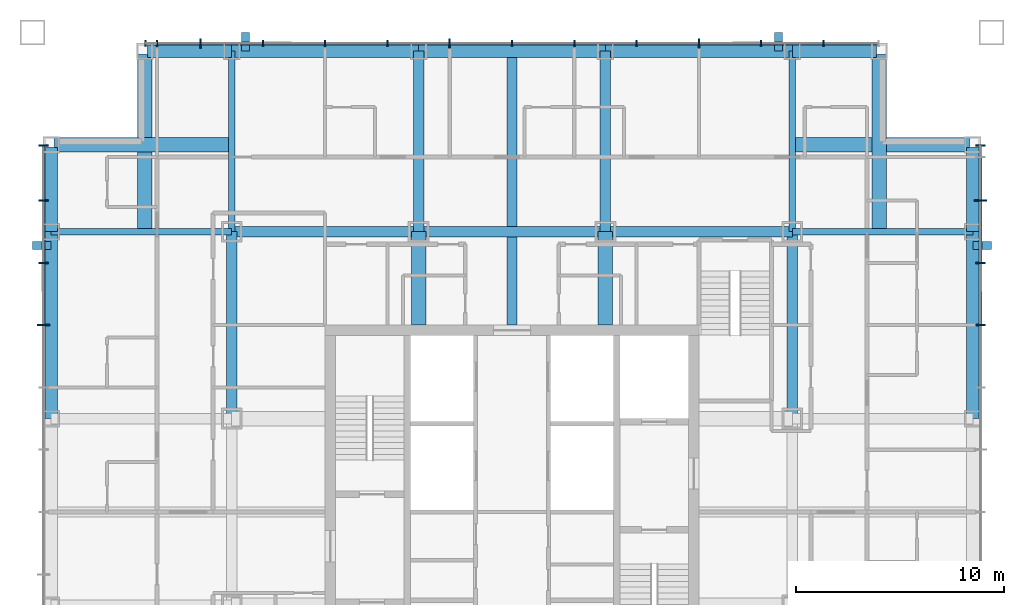
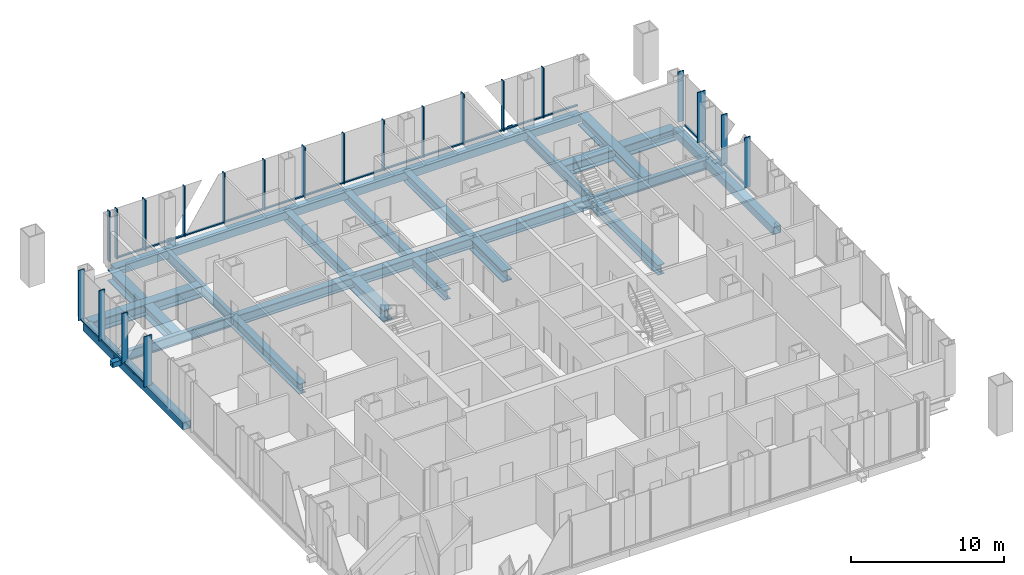
# One storey, part 4 of 18: 43 members, 27 beams, 3 elements without a shape of their own.
"""IFC4 building model written with IfcOpenShell, lengths in metres."""

from ifc_helpers import new_model, si_unit, direction, frame, origin, origin_2d, place, context, subcontext, project, spatial, rectangle, hollow_rectangle, i_section, extrude, material, layer, layer_set, material_profile, profile_set, type_object, element, aggregate, save


model = new_model("IFC4")

# Units and contexts
model_context = context("Model", 3, precision=1e-05, world=origin(), true_north=direction((0.0, 1.0)))
body_context = subcontext(model_context, "Body", "Model", "MODEL_VIEW")
ifc_project = project(units=[si_unit("LENGTHUNIT", "METRE"), si_unit("AREAUNIT", "SQUARE_METRE"), si_unit("VOLUMEUNIT", "CUBIC_METRE"), si_unit("PLANEANGLEUNIT", "RADIAN"), si_unit("MASSUNIT", "GRAM", prefix="KILO")], contexts=[model_context])

# Site, building, storey
site_placement = place(None, origin())
site = spatial("IfcSite", under=ifc_project, at=site_placement, CompositionType="ELEMENT")
building_placement = place(site_placement, origin())
building = spatial("IfcBuilding", under=site, at=building_placement, Name="Malebo Sky Hospital", CompositionType="ELEMENT")
storey_placement = place(building_placement, frame((0.0, 0.0, 225.0)))
storey = spatial("IfcBuildingStorey", under=building, at=storey_placement, Name="L54", CompositionType="ELEMENT", Elevation=225.0)

# Curtain wall, members
ifc_material_1 = material(Name="Anodised aluminium, natural silver", Category="aluminium")
ifc_layer_1 = layer(ifc_material_1, 0.25)
ifc_layer_set_1 = layer_set([ifc_layer_1], Name="WARD CURTAIN WALL NORTH AND SOUTH")
curtain_wall_type_1 = type_object("IfcCurtainWallType", Name="WARD CURTAIN WALL NORTH AND SOUTH", PredefinedType="NOTDEFINED", material=ifc_layer_set_1)
curtain_wall_1_placement = place(storey_placement, origin())
curtain_wall_1 = element("IfcCurtainWall", 1, at=curtain_wall_1_placement, inside=storey, type_object=curtain_wall_type_1, Name="NS curtain wall N", PredefinedType="NOTDEFINED")
ifc_material_profile_1 = material_profile(ifc_material_1, rectangle(XDim=0.14990234375, YDim=0.10009765625, at=origin_2d()), Name="ALUMINIUM TRANSOM 150x100")
ifc_profile_set_1 = profile_set([ifc_material_profile_1], Name="Anodised aluminium, natural silver")
member_type_1 = type_object("IfcMemberType", Name="ALUMINIUM TRANSOM 150x100", PredefinedType="USERDEFINED", material=ifc_profile_set_1)
member_1_placement = place(storey_placement, frame((42.9375, 84.574951171875, 0.050048828125), z_axis=(1.0, 0.0, 0.0), x_axis=(0.0, 1.0, 0.0)))
member_1 = element("IfcMember", 2, at=member_1_placement, type_object=member_type_1, Name="Transom 2", ObjectType="TRANSOM", PredefinedType="USERDEFINED", context=body_context, shape_type="SweptSolid", body=[
    extrude(rectangle(XDim=0.14990234375, YDim=0.10009765625, at=origin_2d()), origin(), (0.0, 0.0, 1.0), 2.02490234375),
])
member_2_placement = place(storey_placement, frame((45.03759765625, 84.574951171875, 0.050048828125), z_axis=(1.0, 0.0, 0.0), x_axis=(0.0, 1.0, 0.0)))
member_2 = element("IfcMember", 3, at=member_2_placement, type_object=member_type_1, Name="Transom 3", ObjectType="TRANSOM", PredefinedType="USERDEFINED", context=body_context, shape_type="SweptSolid", body=[
    extrude(rectangle(XDim=0.14990234375, YDim=0.10009765625, at=origin_2d()), origin(), (0.0, 0.0, 1.0), 2.9248046875),
])
member_3_placement = place(storey_placement, frame((48.03759765625, 84.574951171875, 0.050048828125), z_axis=(1.0, 0.0, 0.0), x_axis=(0.0, 1.0, 0.0)))
member_3 = element("IfcMember", 4, at=member_3_placement, type_object=member_type_1, Name="Transom 4", ObjectType="TRANSOM", PredefinedType="USERDEFINED", context=body_context, shape_type="SweptSolid", body=[
    extrude(rectangle(XDim=0.14990234375, YDim=0.10009765625, at=origin_2d()), origin(), (0.0, 0.0, 1.0), 2.9248046875),
])
member_4_placement = place(storey_placement, frame((51.03759765625, 84.574951171875, 0.050048828125), z_axis=(1.0, 0.0, 0.0), x_axis=(0.0, 1.0, 0.0)))
member_4 = element("IfcMember", 5, at=member_4_placement, type_object=member_type_1, Name="Transom 5", ObjectType="TRANSOM", PredefinedType="USERDEFINED", context=body_context, shape_type="SweptSolid", body=[
    extrude(rectangle(XDim=0.14990234375, YDim=0.10009765625, at=origin_2d()), origin(), (0.0, 0.0, 1.0), 2.9248046875),
])
member_5_placement = place(storey_placement, frame((54.03759765625, 84.574951171875, 0.050048828125), z_axis=(1.0, 0.0, 0.0), x_axis=(0.0, 1.0, 0.0)))
member_5 = element("IfcMember", 6, at=member_5_placement, type_object=member_type_1, Name="Transom 6", ObjectType="TRANSOM", PredefinedType="USERDEFINED", context=body_context, shape_type="SweptSolid", body=[
    extrude(rectangle(XDim=0.14990234375, YDim=0.10009765625, at=origin_2d()), origin(), (0.0, 0.0, 1.0), 2.9248046875),
])
member_6_placement = place(storey_placement, frame((57.03759765625, 84.574951171875, 0.050048828125), z_axis=(1.0, 0.0, 0.0), x_axis=(0.0, 1.0, 0.0)))
member_6 = element("IfcMember", 7, at=member_6_placement, type_object=member_type_1, Name="Transom 7", ObjectType="TRANSOM", PredefinedType="USERDEFINED", context=body_context, shape_type="SweptSolid", body=[
    extrude(rectangle(XDim=0.14990234375, YDim=0.10009765625, at=origin_2d()), origin(), (0.0, 0.0, 1.0), 2.9248046875),
])
member_7_placement = place(storey_placement, frame((60.03759765625, 84.574951171875, 0.050048828125), z_axis=(1.0, 0.0, 0.0), x_axis=(0.0, 1.0, 0.0)))
member_7 = element("IfcMember", 8, at=member_7_placement, type_object=member_type_1, Name="Transom 8", ObjectType="TRANSOM", PredefinedType="USERDEFINED", context=body_context, shape_type="SweptSolid", body=[
    extrude(rectangle(XDim=0.14990234375, YDim=0.10009765625, at=origin_2d()), origin(), (0.0, 0.0, 1.0), 2.9248046875),
])
member_8_placement = place(storey_placement, frame((63.03759765625, 84.574951171875, 0.050048828125), z_axis=(1.0, 0.0, 0.0), x_axis=(0.0, 1.0, 0.0)))
member_8 = element("IfcMember", 9, at=member_8_placement, type_object=member_type_1, Name="Transom 9", ObjectType="TRANSOM", PredefinedType="USERDEFINED", context=body_context, shape_type="SweptSolid", body=[
    extrude(rectangle(XDim=0.14990234375, YDim=0.10009765625, at=origin_2d()), origin(), (0.0, 0.0, 1.0), 2.9248046875),
])
member_9_placement = place(storey_placement, frame((66.03759765625, 84.574951171875, 0.050048828125), z_axis=(1.0, 0.0, 0.0), x_axis=(0.0, 1.0, 0.0)))
member_9 = element("IfcMember", 10, at=member_9_placement, type_object=member_type_1, Name="Transom 10", ObjectType="TRANSOM", PredefinedType="USERDEFINED", context=body_context, shape_type="SweptSolid", body=[
    extrude(rectangle(XDim=0.14990234375, YDim=0.10009765625, at=origin_2d()), origin(), (0.0, 0.0, 1.0), 2.9248046875),
])
member_10_placement = place(storey_placement, frame((69.03759765625, 84.574951171875, 0.050048828125), z_axis=(1.0, 0.0, 0.0), x_axis=(0.0, 1.0, 0.0)))
member_10 = element("IfcMember", 11, at=member_10_placement, type_object=member_type_1, Name="Transom 11", ObjectType="TRANSOM", PredefinedType="USERDEFINED", context=body_context, shape_type="SweptSolid", body=[
    extrude(rectangle(XDim=0.14990234375, YDim=0.10009765625, at=origin_2d()), origin(), (0.0, 0.0, 1.0), 2.9248046875),
])
member_11_placement = place(storey_placement, frame((72.03759765625, 84.574951171875, 0.050048828125), z_axis=(1.0, 0.0, 0.0), x_axis=(0.0, 1.0, 0.0)))
member_11 = element("IfcMember", 12, at=member_11_placement, type_object=member_type_1, Name="Transom 12", ObjectType="TRANSOM", PredefinedType="USERDEFINED", context=body_context, shape_type="SweptSolid", body=[
    extrude(rectangle(XDim=0.14990234375, YDim=0.10009765625, at=origin_2d()), origin(), (0.0, 0.0, 1.0), 2.9248046875),
])
member_12_placement = place(storey_placement, frame((75.03759765625, 84.574951171875, 0.050048828125), z_axis=(1.0, 0.0, 0.0), x_axis=(0.0, 1.0, 0.0)))
member_12 = element("IfcMember", 13, at=member_12_placement, type_object=member_type_1, Name="Transom 13", ObjectType="TRANSOM", PredefinedType="USERDEFINED", context=body_context, shape_type="SweptSolid", body=[
    extrude(rectangle(XDim=0.14990234375, YDim=0.10009765625, at=origin_2d()), origin(), (0.0, 0.0, 1.0), 2.58740234375),
])

ifc_layer_2 = layer(ifc_material_1, 0.25)
ifc_layer_set_2 = layer_set([ifc_layer_2], Name="WARD CURTAIN WALL EAST AND WEST")
curtain_wall_type_2 = type_object("IfcCurtainWallType", Name="WARD CURTAIN WALL EAST AND WEST", PredefinedType="NOTDEFINED", material=ifc_layer_set_2)
curtain_wall_2_placement = place(storey_placement, origin())
curtain_wall_2 = element("IfcCurtainWall", 14, at=curtain_wall_2_placement, inside=storey, type_object=curtain_wall_type_2, Name="EW curtain wall W", PredefinedType="NOTDEFINED")
member_13_placement = place(storey_placement, frame((37.425048828125, 71.03759765625, 0.050048828125), z_axis=(0.0, 1.0, 0.0), x_axis=(-1.0, 0.0, 0.0)))
member_13 = element("IfcMember", 15, at=member_13_placement, type_object=member_type_1, Name="Transom 11", ObjectType="TRANSOM", PredefinedType="USERDEFINED", context=body_context, shape_type="SweptSolid", body=[
    extrude(rectangle(XDim=0.14990234375, YDim=0.10009765625, at=origin_2d()), origin(), (0.0, 0.0, 1.0), 2.9248046875),
])
member_14_placement = place(storey_placement, frame((37.425048828125, 74.03759765625, 0.050048828125), z_axis=(0.0, 1.0, 0.0), x_axis=(-1.0, 0.0, 0.0)))
member_14 = element("IfcMember", 16, at=member_14_placement, type_object=member_type_1, Name="Transom 12", ObjectType="TRANSOM", PredefinedType="USERDEFINED", context=body_context, shape_type="SweptSolid", body=[
    extrude(rectangle(XDim=0.14990234375, YDim=0.10009765625, at=origin_2d()), origin(), (0.0, 0.0, 1.0), 2.9248046875),
])
member_15_placement = place(storey_placement, frame((37.425048828125, 77.03759765625, 0.050048828125), z_axis=(0.0, 1.0, 0.0), x_axis=(-1.0, 0.0, 0.0)))
member_15 = element("IfcMember", 17, at=member_15_placement, type_object=member_type_1, Name="Transom 13", ObjectType="TRANSOM", PredefinedType="USERDEFINED", context=body_context, shape_type="SweptSolid", body=[
    extrude(rectangle(XDim=0.14990234375, YDim=0.10009765625, at=origin_2d()), origin(), (0.0, 0.0, 1.0), 2.58740234375),
])

curtain_wall_3_placement = place(storey_placement, origin())
curtain_wall_3 = element("IfcCurtainWall", 18, at=curtain_wall_3_placement, inside=storey, type_object=curtain_wall_type_2, Name="EW curtain wall E", PredefinedType="NOTDEFINED")
member_16_placement = place(storey_placement, frame((82.574951171875, 79.0625, 0.050048828125), z_axis=(0.0, -1.0, 0.0), x_axis=(1.0, 0.0, 0.0)))
member_16 = element("IfcMember", 19, at=member_16_placement, type_object=member_type_1, Name="Transom 2", ObjectType="TRANSOM", PredefinedType="USERDEFINED", context=body_context, shape_type="SweptSolid", body=[
    extrude(rectangle(XDim=0.14990234375, YDim=0.10009765625, at=origin_2d()), origin(), (0.0, 0.0, 1.0), 2.02490234375),
])
member_17_placement = place(storey_placement, frame((82.574951171875, 76.96240234375, 0.050048828125), z_axis=(0.0, -1.0, 0.0), x_axis=(1.0, 0.0, 0.0)))
member_17 = element("IfcMember", 20, at=member_17_placement, type_object=member_type_1, Name="Transom 3", ObjectType="TRANSOM", PredefinedType="USERDEFINED", context=body_context, shape_type="SweptSolid", body=[
    extrude(rectangle(XDim=0.14990234375, YDim=0.10009765625, at=origin_2d()), origin(), (0.0, 0.0, 1.0), 2.9248046875),
])
member_18_placement = place(storey_placement, frame((82.574951171875, 73.96240234375, 0.050048828125), z_axis=(0.0, -1.0, 0.0), x_axis=(1.0, 0.0, 0.0)))
member_18 = element("IfcMember", 21, at=member_18_placement, type_object=member_type_1, Name="Transom 4", ObjectType="TRANSOM", PredefinedType="USERDEFINED", context=body_context, shape_type="SweptSolid", body=[
    extrude(rectangle(XDim=0.14990234375, YDim=0.10009765625, at=origin_2d()), origin(), (0.0, 0.0, 1.0), 2.9248046875),
])

# Members
ifc_material_2 = material(Name="Steel S355", Category="steel")
ifc_material_profile_2 = material_profile(ifc_material_2, hollow_rectangle(XDim=0.39990234375, YDim=0.39990234375, WallThickness=0.02001953125, at=origin_2d()), Name="SHS 400x20")
ifc_profile_set_2 = profile_set([ifc_material_profile_2], Name="Steel S355")
member_type_2 = type_object("IfcMemberType", Name="BRACE STRUT SHS 400x20", PredefinedType="STRUT", material=ifc_profile_set_2)
for number, where, z_axis, x_axis, name in (
    (22, (72.833251953125, 85.10009765625, -0.39990234375), (0.0, -1.0, 0.0), (1.0, 0.0, 0.0), "Brace strut CN1 L54"),
    (23, (47.166748046875, 85.10009765625, -0.39990234375), (0.0, -1.0, 0.0), (1.0, 0.0, 0.0), "Brace strut CN2 L54"),
    (24, (83.10009765625, 74.833251953125, -0.39990234375), (-1.0, 0.0, 0.0), (0.0, -1.0, 0.0), "Brace strut CE2 L54"),
    (25, (36.89990234375, 74.833251953125, -0.39990234375), (1.0, 0.0, 0.0), (0.0, 1.0, 0.0), "Brace strut CW1 L54"),
):
    element("IfcMember", number, at=place(storey_placement, frame(where, z_axis=z_axis, x_axis=x_axis)), inside=storey, type_object=member_type_2, Name=name, PredefinedType="STRUT", context=body_context, shape_type="SweptSolid", body=[
        extrude(hollow_rectangle(XDim=0.39990234375, YDim=0.39990234375, WallThickness=0.02001953125, at=origin_2d()), origin(), (0.0, 0.0, 1.0), 0.900146484375),
    ])

# Member
ifc_material_profile_3 = material_profile(ifc_material_1, rectangle(XDim=0.074951171875, YDim=0.300048828125, at=origin_2d()), Name="CW1 ALUMINIUM FIN MULLION 75x300")
ifc_profile_set_3 = profile_set([ifc_material_profile_3], Name="Anodised aluminium, natural silver")
member_type_3 = type_object("IfcMemberType", Name="CW1 ALUMINIUM FIN MULLION 75x300", PredefinedType="MULLION", material=ifc_profile_set_3)
member_19_placement = place(storey_placement, frame((42.33740234375, 84.574951171875, 0.0), z_axis=(0.0, 0.0, 1.0), x_axis=(1.0, 0.0, 0.0)))
member_19 = element("IfcMember", 26, at=member_19_placement, type_object=member_type_3, Name="Fin mullion 1", PredefinedType="MULLION", context=body_context, shape_type="SweptSolid", body=[
    extrude(rectangle(XDim=0.074951171875, YDim=0.300048828125, at=origin_2d()), origin(), (0.0, 0.0, 1.0), 4.0),
])

member_20_placement = place(storey_placement, frame((42.89990234375, 84.574951171875, 0.0), z_axis=(0.0, 0.0, 1.0), x_axis=(1.0, 0.0, 0.0)))
member_20 = element("IfcMember", 27, at=member_20_placement, type_object=member_type_3, Name="Fin mullion 2", PredefinedType="MULLION", context=body_context, shape_type="SweptSolid", body=[
    extrude(rectangle(XDim=0.074951171875, YDim=0.300048828125, at=origin_2d()), origin(), (0.0, 0.0, 1.0), 4.0),
])

member_21_placement = place(storey_placement, frame((48.0, 84.574951171875, 0.0), z_axis=(0.0, 0.0, 1.0), x_axis=(1.0, 0.0, 0.0)))
member_21 = element("IfcMember", 28, at=member_21_placement, type_object=member_type_3, Name="Fin mullion 4", PredefinedType="MULLION", context=body_context, shape_type="SweptSolid", body=[
    extrude(rectangle(XDim=0.074951171875, YDim=0.300048828125, at=origin_2d()), origin(), (0.0, 0.0, 1.0), 4.0),
])

member_22_placement = place(storey_placement, frame((51.0, 84.574951171875, 0.0), z_axis=(0.0, 0.0, 1.0), x_axis=(1.0, 0.0, 0.0)))
member_22 = element("IfcMember", 29, at=member_22_placement, type_object=member_type_3, Name="Fin mullion 5", PredefinedType="MULLION", context=body_context, shape_type="SweptSolid", body=[
    extrude(rectangle(XDim=0.074951171875, YDim=0.300048828125, at=origin_2d()), origin(), (0.0, 0.0, 1.0), 4.0),
])

member_23_placement = place(storey_placement, frame((54.0, 84.574951171875, 0.0), z_axis=(0.0, 0.0, 1.0), x_axis=(1.0, 0.0, 0.0)))
member_23 = element("IfcMember", 30, at=member_23_placement, type_object=member_type_3, Name="Fin mullion 6", PredefinedType="MULLION", context=body_context, shape_type="SweptSolid", body=[
    extrude(rectangle(XDim=0.074951171875, YDim=0.300048828125, at=origin_2d()), origin(), (0.0, 0.0, 1.0), 4.0),
])

member_24_placement = place(storey_placement, frame((60.0, 84.574951171875, 0.0), z_axis=(0.0, 0.0, 1.0), x_axis=(1.0, 0.0, 0.0)))
member_24 = element("IfcMember", 31, at=member_24_placement, type_object=member_type_3, Name="Fin mullion 8", PredefinedType="MULLION", context=body_context, shape_type="SweptSolid", body=[
    extrude(rectangle(XDim=0.074951171875, YDim=0.300048828125, at=origin_2d()), origin(), (0.0, 0.0, 1.0), 4.0),
])

member_25_placement = place(storey_placement, frame((63.0, 84.574951171875, 0.0), z_axis=(0.0, 0.0, 1.0), x_axis=(1.0, 0.0, 0.0)))
member_25 = element("IfcMember", 32, at=member_25_placement, type_object=member_type_3, Name="Fin mullion 9", PredefinedType="MULLION", context=body_context, shape_type="SweptSolid", body=[
    extrude(rectangle(XDim=0.074951171875, YDim=0.300048828125, at=origin_2d()), origin(), (0.0, 0.0, 1.0), 4.0),
])

member_26_placement = place(storey_placement, frame((66.0, 84.574951171875, 0.0), z_axis=(0.0, 0.0, 1.0), x_axis=(1.0, 0.0, 0.0)))
member_26 = element("IfcMember", 33, at=member_26_placement, type_object=member_type_3, Name="Fin mullion 10", PredefinedType="MULLION", context=body_context, shape_type="SweptSolid", body=[
    extrude(rectangle(XDim=0.074951171875, YDim=0.300048828125, at=origin_2d()), origin(), (0.0, 0.0, 1.0), 4.0),
])

member_27_placement = place(storey_placement, frame((72.0, 84.574951171875, 0.0), z_axis=(0.0, 0.0, 1.0), x_axis=(1.0, 0.0, 0.0)))
member_27 = element("IfcMember", 34, at=member_27_placement, type_object=member_type_3, Name="Fin mullion 12", PredefinedType="MULLION", context=body_context, shape_type="SweptSolid", body=[
    extrude(rectangle(XDim=0.074951171875, YDim=0.300048828125, at=origin_2d()), origin(), (0.0, 0.0, 1.0), 4.0),
])

member_28_placement = place(storey_placement, frame((75.0, 84.574951171875, 0.0), z_axis=(0.0, 0.0, 1.0), x_axis=(1.0, 0.0, 0.0)))
member_28 = element("IfcMember", 35, at=member_28_placement, type_object=member_type_3, Name="Fin mullion 13", PredefinedType="MULLION", context=body_context, shape_type="SweptSolid", body=[
    extrude(rectangle(XDim=0.074951171875, YDim=0.300048828125, at=origin_2d()), origin(), (0.0, 0.0, 1.0), 4.0),
])

ifc_material_profile_4 = material_profile(ifc_material_1, rectangle(XDim=0.074951171875, YDim=0.449951171875, at=origin_2d()), Name="CW1 ALUMINIUM FIN MULLION 75x450")
ifc_profile_set_4 = profile_set([ifc_material_profile_4], Name="Anodised aluminium, natural silver")
member_type_4 = type_object("IfcMemberType", Name="CW1 ALUMINIUM FIN MULLION 75x450", PredefinedType="MULLION", material=ifc_profile_set_4)
member_29_placement = place(storey_placement, frame((45.0, 84.574951171875, 0.0), z_axis=(0.0, 0.0, 1.0), x_axis=(1.0, 0.0, 0.0)))
member_29 = element("IfcMember", 36, at=member_29_placement, type_object=member_type_4, Name="Fin mullion 3", PredefinedType="MULLION", context=body_context, shape_type="SweptSolid", body=[
    extrude(rectangle(XDim=0.074951171875, YDim=0.449951171875, at=origin_2d()), origin(), (0.0, 0.0, 1.0), 4.0),
])

member_30_placement = place(storey_placement, frame((57.0, 84.574951171875, 0.0), z_axis=(0.0, 0.0, 1.0), x_axis=(1.0, 0.0, 0.0)))
member_30 = element("IfcMember", 37, at=member_30_placement, type_object=member_type_4, Name="Fin mullion 7", PredefinedType="MULLION", context=body_context, shape_type="SweptSolid", body=[
    extrude(rectangle(XDim=0.074951171875, YDim=0.449951171875, at=origin_2d()), origin(), (0.0, 0.0, 1.0), 4.0),
])

member_31_placement = place(storey_placement, frame((69.0, 84.574951171875, 0.0), z_axis=(0.0, 0.0, 1.0), x_axis=(1.0, 0.0, 0.0)))
member_31 = element("IfcMember", 38, at=member_31_placement, type_object=member_type_4, Name="Fin mullion 11", PredefinedType="MULLION", context=body_context, shape_type="SweptSolid", body=[
    extrude(rectangle(XDim=0.074951171875, YDim=0.449951171875, at=origin_2d()), origin(), (0.0, 0.0, 1.0), 4.0),
])

aggregate(curtain_wall_1, [member_19, member_20, member_29, member_21, member_22, member_23, member_30, member_24, member_25, member_26, member_31, member_27, member_28, member_1, member_2, member_3, member_4, member_5, member_6, member_7, member_8, member_9, member_10, member_11, member_12])

ifc_material_profile_5 = material_profile(ifc_material_1, rectangle(XDim=0.074951171875, YDim=0.449951171875, at=origin_2d()), Name="CW2 ALUMINIUM FIN MULLION 75x450")
ifc_profile_set_5 = profile_set([ifc_material_profile_5], Name="Anodised aluminium, natural silver")
member_type_5 = type_object("IfcMemberType", Name="CW2 ALUMINIUM FIN MULLION 75x450", PredefinedType="MULLION", material=ifc_profile_set_5)
member_32_placement = place(storey_placement, frame((37.425048828125, 74.0, 0.0), z_axis=(0.0, 0.0, 1.0), x_axis=(0.0, 1.0, 0.0)))
member_32 = element("IfcMember", 39, at=member_32_placement, type_object=member_type_5, Name="Fin mullion 12", PredefinedType="MULLION", context=body_context, shape_type="SweptSolid", body=[
    extrude(rectangle(XDim=0.074951171875, YDim=0.449951171875, at=origin_2d()), origin(), (0.0, 0.0, 1.0), 4.0),
])

member_33_placement = place(storey_placement, frame((37.425048828125, 77.0, 0.0), z_axis=(0.0, 0.0, 1.0), x_axis=(0.0, 1.0, 0.0)))
member_33 = element("IfcMember", 40, at=member_33_placement, type_object=member_type_5, Name="Fin mullion 13", PredefinedType="MULLION", context=body_context, shape_type="SweptSolid", body=[
    extrude(rectangle(XDim=0.074951171875, YDim=0.449951171875, at=origin_2d()), origin(), (0.0, 0.0, 1.0), 4.0),
])

member_34_placement = place(storey_placement, frame((37.425048828125, 79.66259765625, 0.0), z_axis=(0.0, 0.0, 1.0), x_axis=(0.0, 1.0, 0.0)))
member_34 = element("IfcMember", 41, at=member_34_placement, type_object=member_type_5, Name="Fin mullion 14", PredefinedType="MULLION", context=body_context, shape_type="SweptSolid", body=[
    extrude(rectangle(XDim=0.074951171875, YDim=0.449951171875, at=origin_2d()), origin(), (0.0, 0.0, 1.0), 4.0),
])

member_35_placement = place(storey_placement, frame((82.574951171875, 79.66259765625, 0.0), z_axis=(0.0, 0.0, 1.0), x_axis=(0.0, -1.0, 0.0)))
member_35 = element("IfcMember", 42, at=member_35_placement, type_object=member_type_5, Name="Fin mullion 1", PredefinedType="MULLION", context=body_context, shape_type="SweptSolid", body=[
    extrude(rectangle(XDim=0.074951171875, YDim=0.449951171875, at=origin_2d()), origin(), (0.0, 0.0, 1.0), 4.0),
])

member_36_placement = place(storey_placement, frame((82.574951171875, 74.0, 0.0), z_axis=(0.0, 0.0, 1.0), x_axis=(0.0, -1.0, 0.0)))
member_36 = element("IfcMember", 43, at=member_36_placement, type_object=member_type_5, Name="Fin mullion 4", PredefinedType="MULLION", context=body_context, shape_type="SweptSolid", body=[
    extrude(rectangle(XDim=0.074951171875, YDim=0.449951171875, at=origin_2d()), origin(), (0.0, 0.0, 1.0), 4.0),
])

member_37_placement = place(storey_placement, frame((82.574951171875, 71.0, 0.0), z_axis=(0.0, 0.0, 1.0), x_axis=(0.0, -1.0, 0.0)))
member_37 = element("IfcMember", 44, at=member_37_placement, type_object=member_type_5, Name="Fin mullion 5", PredefinedType="MULLION", context=body_context, shape_type="SweptSolid", body=[
    extrude(rectangle(XDim=0.074951171875, YDim=0.449951171875, at=origin_2d()), origin(), (0.0, 0.0, 1.0), 4.0),
])

ifc_material_profile_6 = material_profile(ifc_material_1, rectangle(XDim=0.074951171875, YDim=0.60009765625, at=origin_2d()), Name="CW2 ALUMINIUM FIN MULLION 75x600")
ifc_profile_set_6 = profile_set([ifc_material_profile_6], Name="Anodised aluminium, natural silver")
member_type_6 = type_object("IfcMemberType", Name="CW2 ALUMINIUM FIN MULLION 75x600", PredefinedType="MULLION", material=ifc_profile_set_6)
member_38_placement = place(storey_placement, frame((37.425048828125, 71.0, 0.0), z_axis=(0.0, 0.0, 1.0), x_axis=(0.0, 1.0, 0.0)))
member_38 = element("IfcMember", 45, at=member_38_placement, type_object=member_type_6, Name="Fin mullion 11", PredefinedType="MULLION", context=body_context, shape_type="SweptSolid", body=[
    extrude(rectangle(XDim=0.074951171875, YDim=0.60009765625, at=origin_2d()), origin(), (0.0, 0.0, 1.0), 4.0),
])

aggregate(curtain_wall_2, [member_38, member_32, member_33, member_34, member_13, member_14, member_15])

member_39_placement = place(storey_placement, frame((82.574951171875, 77.0, 0.0), z_axis=(0.0, 0.0, 1.0), x_axis=(0.0, -1.0, 0.0)))
member_39 = element("IfcMember", 46, at=member_39_placement, type_object=member_type_6, Name="Fin mullion 3", PredefinedType="MULLION", context=body_context, shape_type="SweptSolid", body=[
    extrude(rectangle(XDim=0.074951171875, YDim=0.60009765625, at=origin_2d()), origin(), (0.0, 0.0, 1.0), 4.0),
])

aggregate(curtain_wall_3, [member_35, member_39, member_36, member_37, member_16, member_17, member_18])

# Beams
ifc_material_3 = material(Name="Steel S460", Category="steel")
ifc_material_profile_7 = material_profile(ifc_material_3, hollow_rectangle(XDim=0.60009765625, YDim=0.60009765625, WallThickness=0.0400390625, at=origin_2d()), Name="BOX 600x600x40")
ifc_profile_set_7 = profile_set([ifc_material_profile_7], Name="Steel S460")
beam_type_1 = type_object("IfcBeamType", Name="EDGE BEAM BOX 600x600x40", PredefinedType="BEAM", material=ifc_profile_set_7)
beam_1_placement = place(storey_placement, frame((37.800048828125, 66.5, -0.550048828125), z_axis=(0.0, 1.0, 0.0), x_axis=(-1.0, 0.0, 0.0)))
element("IfcBeam", 47, at=beam_1_placement, inside=storey, type_object=beam_type_1, Name="Beam 003 L54", PredefinedType="BEAM", context=body_context, shape_type="SweptSolid", body=[
    extrude(hollow_rectangle(XDim=0.60009765625, YDim=0.60009765625, WallThickness=0.0400390625, at=origin_2d()), origin(), (0.0, 0.0, 1.0), 9.0),
])
beam_2_placement = place(storey_placement, frame((37.800048828125, 75.5, -0.550048828125), z_axis=(0.0, 1.0, 0.0), x_axis=(-1.0, 0.0, 0.0)))
element("IfcBeam", 48, at=beam_2_placement, inside=storey, type_object=beam_type_1, Name="Beam 004 L54", PredefinedType="BEAM", context=body_context, shape_type="SweptSolid", body=[
    extrude(hollow_rectangle(XDim=0.60009765625, YDim=0.60009765625, WallThickness=0.0400390625, at=origin_2d()), origin(), (0.0, 0.0, 1.0), 4.050048828125),
])
beam_3_placement = place(storey_placement, frame((82.199951171875, 66.5, -0.550048828125), z_axis=(0.0, 1.0, 0.0), x_axis=(-1.0, 0.0, 0.0)))
element("IfcBeam", 49, at=beam_3_placement, inside=storey, type_object=beam_type_1, Name="Beam 032 L54", PredefinedType="BEAM", context=body_context, shape_type="SweptSolid", body=[
    extrude(hollow_rectangle(XDim=0.60009765625, YDim=0.60009765625, WallThickness=0.0400390625, at=origin_2d()), origin(), (0.0, 0.0, 1.0), 9.0),
])
for number, where, z_axis, x_axis, name in (
    (50, (82.199951171875, 75.5, -0.550048828125), (0.0, 1.0, 0.0), (-1.0, 0.0, 0.0), "Beam 033 L54"),
    (51, (42.449951171875, 84.199951171875, -0.550048828125), (1.0, 0.0, 0.0), (0.0, 1.0, 0.0), "Beam 063 L54"),
):
    element("IfcBeam", number, at=place(storey_placement, frame(where, z_axis=z_axis, x_axis=x_axis)), inside=storey, type_object=beam_type_1, Name=name, PredefinedType="BEAM", context=body_context, shape_type="SweptSolid", body=[
        extrude(hollow_rectangle(XDim=0.60009765625, YDim=0.60009765625, WallThickness=0.0400390625, at=origin_2d()), origin(), (0.0, 0.0, 1.0), 4.050048828125),
    ])
for number, where, z_axis, x_axis, name in (
    (52, (46.5, 84.199951171875, -0.550048828125), (1.0, 0.0, 0.0), (0.0, 1.0, 0.0), "Beam 064 L54"),
    (53, (55.5, 84.199951171875, -0.550048828125), (1.0, 0.0, 0.0), (0.0, 1.0, 0.0), "Beam 065 L54"),
    (54, (64.5, 84.199951171875, -0.550048828125), (1.0, 0.0, 0.0), (0.0, 1.0, 0.0), "Beam 066 L54"),
):
    element("IfcBeam", number, at=place(storey_placement, frame(where, z_axis=z_axis, x_axis=x_axis)), inside=storey, type_object=beam_type_1, Name=name, PredefinedType="BEAM", context=body_context, shape_type="SweptSolid", body=[
        extrude(hollow_rectangle(XDim=0.60009765625, YDim=0.60009765625, WallThickness=0.0400390625, at=origin_2d()), origin(), (0.0, 0.0, 1.0), 9.0),
    ])
beam_4_placement = place(storey_placement, frame((73.5, 84.199951171875, -0.550048828125), z_axis=(1.0, 0.0, 0.0), x_axis=(0.0, 1.0, 0.0)))
element("IfcBeam", 55, at=beam_4_placement, inside=storey, type_object=beam_type_1, Name="Beam 067 L54", PredefinedType="BEAM", context=body_context, shape_type="SweptSolid", body=[
    extrude(hollow_rectangle(XDim=0.60009765625, YDim=0.60009765625, WallThickness=0.0400390625, at=origin_2d()), origin(), (0.0, 0.0, 1.0), 4.050048828125),
])
ifc_material_profile_8 = material_profile(ifc_material_2, i_section(OverallWidth=0.5, OverallDepth=0.800048828125, WebThickness=0.030029296875, FlangeThickness=0.050048828125, at=origin_2d()), Name="PG 800x500x30x50")
ifc_profile_set_8 = profile_set([ifc_material_profile_8], Name="Steel S355")
beam_type_2 = type_object("IfcBeamType", Name="FLOOR BEAM PG 800x500x30x50", PredefinedType="BEAM", material=ifc_profile_set_8)
beam_5_placement = place(storey_placement, frame((46.5, 66.5, -0.64990234375), z_axis=(0.0, 1.0, 0.0), x_axis=(-1.0, 0.0, 0.0)))
element("IfcBeam", 56, at=beam_5_placement, inside=storey, type_object=beam_type_2, Name="Beam 010 L54", PredefinedType="BEAM", context=body_context, shape_type="SweptSolid", body=[
    extrude(i_section(OverallWidth=0.5, OverallDepth=0.800048828125, WebThickness=0.030029296875, FlangeThickness=0.050048828125, at=origin_2d()), origin(), (0.0, 0.0, 1.0), 9.0),
])
beam_6_placement = place(storey_placement, frame((55.5, 75.5, -0.64990234375), z_axis=(0.0, 1.0, 0.0), x_axis=(-1.0, 0.0, 0.0)))
element("IfcBeam", 57, at=beam_6_placement, inside=storey, type_object=beam_type_2, Name="Beam 015 L54", PredefinedType="BEAM", context=body_context, shape_type="SweptSolid", body=[
    extrude(i_section(OverallWidth=0.5, OverallDepth=0.800048828125, WebThickness=0.030029296875, FlangeThickness=0.050048828125, at=origin_2d()), origin(), (0.0, 0.0, 1.0), 8.699951171875),
])
beam_7_placement = place(storey_placement, frame((60.0, 71.0, -0.64990234375), z_axis=(0.0, 1.0, 0.0), x_axis=(-1.0, 0.0, 0.0)))
element("IfcBeam", 58, at=beam_7_placement, inside=storey, type_object=beam_type_2, Name="Beam 017 L54", PredefinedType="BEAM", context=body_context, shape_type="SweptSolid", body=[
    extrude(i_section(OverallWidth=0.5, OverallDepth=0.800048828125, WebThickness=0.030029296875, FlangeThickness=0.050048828125, at=origin_2d()), origin(), (0.0, 0.0, 1.0), 13.199951171875),
])
beam_8_placement = place(storey_placement, frame((64.5, 75.5, -0.64990234375), z_axis=(0.0, 1.0, 0.0), x_axis=(-1.0, 0.0, 0.0)))
element("IfcBeam", 59, at=beam_8_placement, inside=storey, type_object=beam_type_2, Name="Beam 021 L54", PredefinedType="BEAM", context=body_context, shape_type="SweptSolid", body=[
    extrude(i_section(OverallWidth=0.5, OverallDepth=0.800048828125, WebThickness=0.030029296875, FlangeThickness=0.050048828125, at=origin_2d()), origin(), (0.0, 0.0, 1.0), 8.699951171875),
])
for number, where, z_axis, x_axis, name in (
    (60, (73.5, 66.5, -0.64990234375), (0.0, 1.0, 0.0), (-1.0, 0.0, 0.0), "Beam 025 L54"),
    (61, (46.5, 75.5, -0.64990234375), (1.0, 0.0, 0.0), (0.0, 1.0, 0.0), "Beam 057 L54"),
    (62, (64.5, 75.5, -0.64990234375), (1.0, 0.0, 0.0), (0.0, 1.0, 0.0), "Beam 059 L54"),
):
    element("IfcBeam", number, at=place(storey_placement, frame(where, z_axis=z_axis, x_axis=x_axis)), inside=storey, type_object=beam_type_2, Name=name, PredefinedType="BEAM", context=body_context, shape_type="SweptSolid", body=[
        extrude(i_section(OverallWidth=0.5, OverallDepth=0.800048828125, WebThickness=0.030029296875, FlangeThickness=0.050048828125, at=origin_2d()), origin(), (0.0, 0.0, 1.0), 9.0),
    ])
ifc_material_profile_9 = material_profile(ifc_material_2, i_section(OverallWidth=0.699951171875, OverallDepth=0.89990234375, WebThickness=0.0400390625, FlangeThickness=0.070068359375, at=origin_2d()), Name="PG 900x700x40x70")
ifc_profile_set_9 = profile_set([ifc_material_profile_9], Name="Steel S355")
beam_type_3 = type_object("IfcBeamType", Name="FLOOR BEAM PG 900x700x40x70", PredefinedType="BEAM", material=ifc_profile_set_9)
beam_9_placement = place(storey_placement, frame((42.300048828125, 75.5, -0.699951171875), z_axis=(0.0, 1.0, 0.0), x_axis=(-1.0, 0.0, 0.0)))
element("IfcBeam", 63, at=beam_9_placement, inside=storey, type_object=beam_type_3, Name="Beam 006 L54", PredefinedType="BEAM", context=body_context, shape_type="SweptSolid", body=[
    extrude(i_section(OverallWidth=0.699951171875, OverallDepth=0.89990234375, WebThickness=0.0400390625, FlangeThickness=0.070068359375, at=origin_2d()), origin(), (0.0, 0.0, 1.0), 8.550048828125),
])
for number, where, z_axis, x_axis, name in (
    (64, (55.5, 71.0, -0.699951171875), (0.0, 1.0, 0.0), (-1.0, 0.0, 0.0), "Beam 014 L54"),
    (65, (64.5, 71.0, -0.699951171875), (0.0, 1.0, 0.0), (-1.0, 0.0, 0.0), "Beam 020 L54"),
):
    element("IfcBeam", number, at=place(storey_placement, frame(where, z_axis=z_axis, x_axis=x_axis)), inside=storey, type_object=beam_type_3, Name=name, PredefinedType="BEAM", context=body_context, shape_type="SweptSolid", body=[
        extrude(i_section(OverallWidth=0.699951171875, OverallDepth=0.89990234375, WebThickness=0.0400390625, FlangeThickness=0.070068359375, at=origin_2d()), origin(), (0.0, 0.0, 1.0), 4.5),
    ])
for number, where, z_axis, x_axis, name in (
    (66, (77.699951171875, 75.5, -0.699951171875), (0.0, 1.0, 0.0), (-1.0, 0.0, 0.0), "Beam 028 L54"),
    (67, (37.949951171875, 79.699951171875, -0.699951171875), (1.0, 0.0, 0.0), (0.0, 1.0, 0.0), "Beam 061 L54"),
    (68, (73.5, 79.699951171875, -0.699951171875), (1.0, 0.0, 0.0), (0.0, 1.0, 0.0), "Beam 062 L54"),
):
    element("IfcBeam", number, at=place(storey_placement, frame(where, z_axis=z_axis, x_axis=x_axis)), inside=storey, type_object=beam_type_3, Name=name, PredefinedType="BEAM", context=body_context, shape_type="SweptSolid", body=[
        extrude(i_section(OverallWidth=0.699951171875, OverallDepth=0.89990234375, WebThickness=0.0400390625, FlangeThickness=0.070068359375, at=origin_2d()), origin(), (0.0, 0.0, 1.0), 8.550048828125),
    ])
ifc_material_profile_10 = material_profile(ifc_material_2, i_section(OverallWidth=0.300048828125, OverallDepth=0.800048828125, WebThickness=0.017578125, FlangeThickness=0.032958984375, FilletRadius=0.030029296875, at=origin_2d()), Name="HEB 800")
ifc_profile_set_10 = profile_set([ifc_material_profile_10], Name="Steel S355")
beam_type_4 = type_object("IfcBeamType", Name="FLOOR GIRDER HEB 800", PredefinedType="BEAM", material=ifc_profile_set_10)
for number, where, z_axis, x_axis, name in (
    (69, (46.5, 75.5, -0.64990234375), (0.0, 1.0, 0.0), (-1.0, 0.0, 0.0), "Beam 011 L54"),
    (70, (73.5, 75.5, -0.64990234375), (0.0, 1.0, 0.0), (-1.0, 0.0, 0.0), "Beam 026 L54"),
    (71, (37.800048828125, 75.5, -0.64990234375), (1.0, 0.0, 0.0), (0.0, 1.0, 0.0), "Beam 056 L54"),
    (72, (73.5, 75.5, -0.64990234375), (1.0, 0.0, 0.0), (0.0, 1.0, 0.0), "Beam 060 L54"),
):
    element("IfcBeam", number, at=place(storey_placement, frame(where, z_axis=z_axis, x_axis=x_axis)), inside=storey, type_object=beam_type_4, Name=name, PredefinedType="BEAM", context=body_context, shape_type="SweptSolid", body=[
        extrude(i_section(OverallWidth=0.300048828125, OverallDepth=0.800048828125, WebThickness=0.017578125, FlangeThickness=0.032958984375, FilletRadius=0.030029296875, at=origin_2d()), origin(), (0.0, 0.0, 1.0), 8.699951171875),
    ])
ifc_material_profile_11 = material_profile(ifc_material_2, i_section(OverallWidth=0.5, OverallDepth=0.800048828125, WebThickness=0.030029296875, FlangeThickness=0.050048828125, at=origin_2d()), Name="PG 800x500x30x50")
ifc_profile_set_11 = profile_set([ifc_material_profile_11], Name="Steel S355")
beam_type_5 = type_object("IfcBeamType", Name="RING GIRDER PG 800x500x30x50", PredefinedType="BEAM", material=ifc_profile_set_11)
beam_10_placement = place(storey_placement, frame((55.5, 75.5, -0.64990234375), z_axis=(1.0, 0.0, 0.0), x_axis=(0.0, 1.0, 0.0)))
element("IfcBeam", 73, at=beam_10_placement, inside=storey, type_object=beam_type_5, Name="Beam 058 L54", PredefinedType="BEAM", context=body_context, shape_type="SweptSolid", body=[
    extrude(i_section(OverallWidth=0.5, OverallDepth=0.800048828125, WebThickness=0.030029296875, FlangeThickness=0.050048828125, at=origin_2d()), origin(), (0.0, 0.0, 1.0), 9.0),
])

save(model, "model.ifc")
